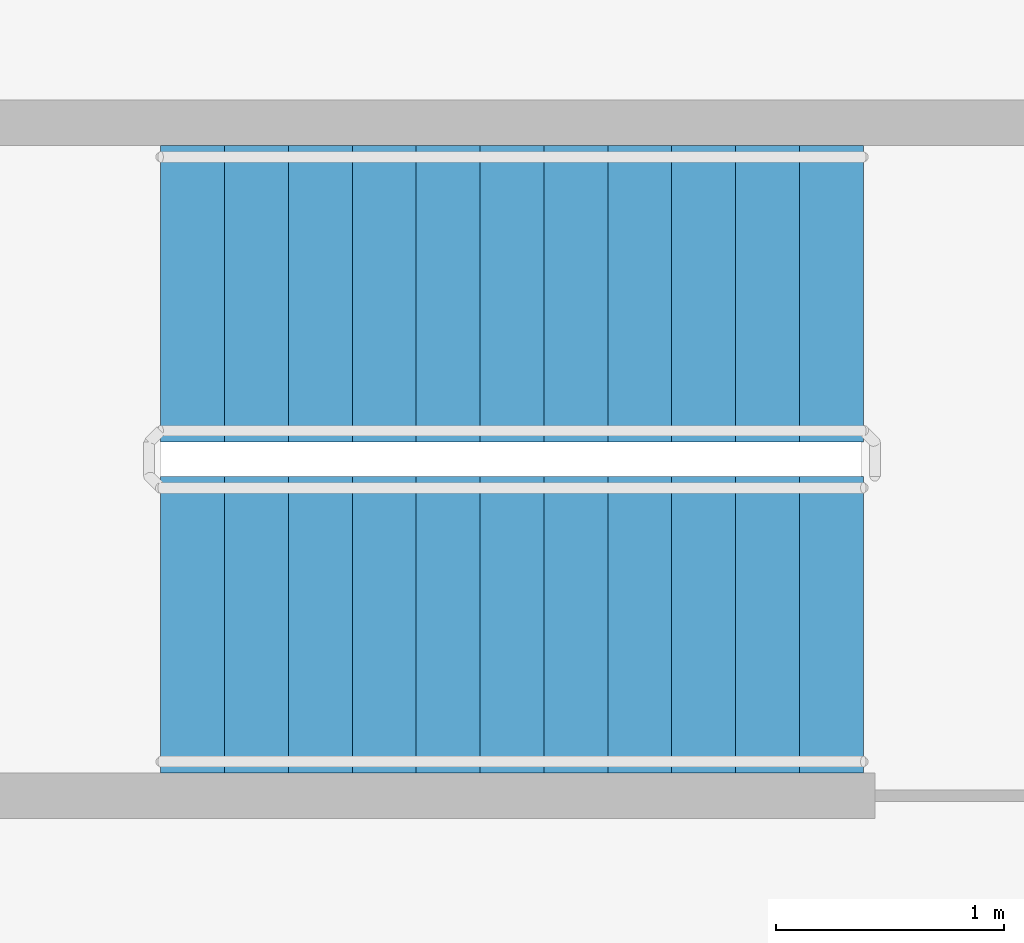
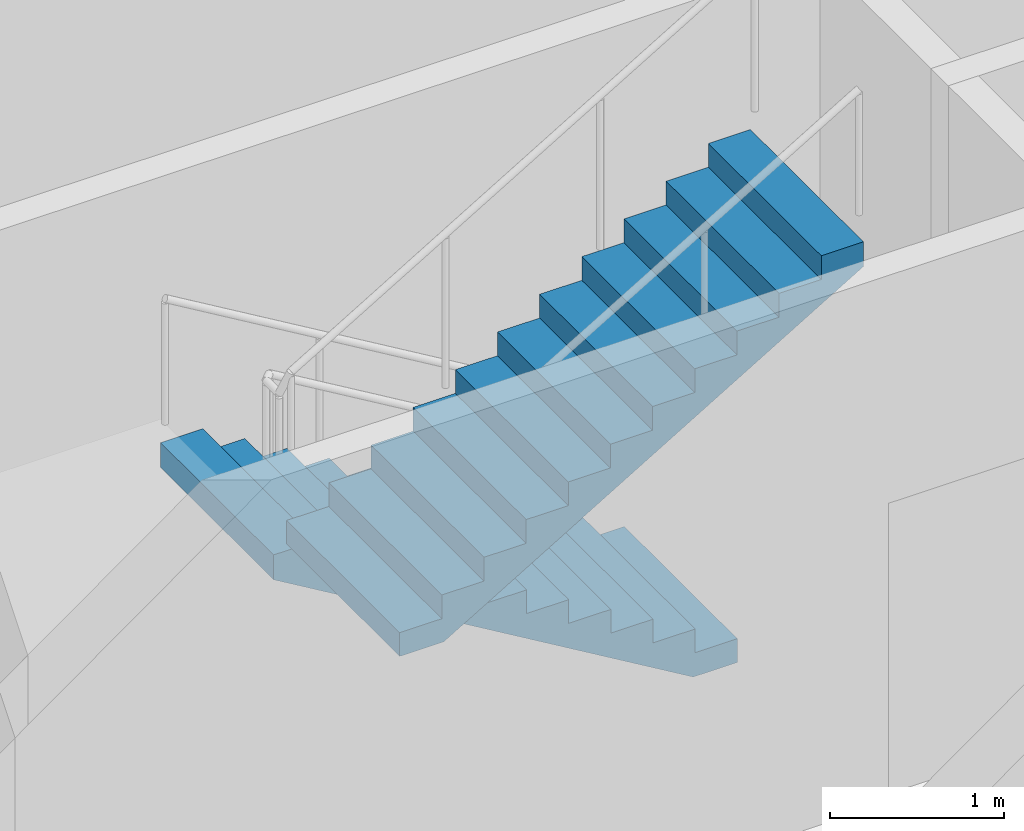
# One storey, part 8 of 10: 2 stair flights, 1 element without a shape of its own.
"""IFC4 building model written with IfcOpenShell, lengths in metres."""

from ifc_helpers import new_model, si_unit, direction, frame, origin, place, context, subcontext, project, spatial, polyline, outline, extrude, material, type_object, element, aggregate, save


model = new_model("IFC4")

# Units and contexts
model_context = context("Model", 3, precision=1e-05, world=origin(), true_north=direction((0.0, 1.0)))
body_context = subcontext(model_context, "Body", "Model", "MODEL_VIEW")
ifc_project = project(units=[si_unit("LENGTHUNIT", "METRE"), si_unit("AREAUNIT", "SQUARE_METRE"), si_unit("VOLUMEUNIT", "CUBIC_METRE"), si_unit("PLANEANGLEUNIT", "RADIAN"), si_unit("MASSUNIT", "GRAM", prefix="KILO")], contexts=[model_context])

# Site, building, storey
site_placement = place(None, origin())
site = spatial("IfcSite", under=ifc_project, at=site_placement, CompositionType="ELEMENT")
building_placement = place(site_placement, origin())
building = spatial("IfcBuilding", under=site, at=building_placement, Name="Corvane Civic Tower", CompositionType="ELEMENT")
storey_placement = place(building_placement, frame((0.0, 0.0, 90.5)))
storey = spatial("IfcBuildingStorey", under=building, at=storey_placement, Name="L20", CompositionType="ELEMENT", Elevation=90.5)

# Stair, stair flights
ifc_material_1 = material(Name="Concrete C40/50", Category="concrete")
stair_type = type_object("IfcStairType", Name="ST-STAIR-HALFTURN", PredefinedType="HALF_TURN_STAIR", material=ifc_material_1)
stair_placement = place(storey_placement, origin())
stair = element("IfcStair", 1, at=stair_placement, inside=storey, type_object=stair_type, Name="L20 Exit stair ST1", PredefinedType="HALF_TURN_STAIR")
ifc_material_2 = material(Name="Concrete C40/50", Category="concrete")
stair_flight_type = type_object("IfcStairFlightType", Name="ST-FLIGHT-RC", PredefinedType="STRAIGHT", material=ifc_material_2)
stair_flight_1_placement = place(storey_placement, frame((8.89990234375, 9.550048828125, 0.0), z_axis=(0.0, 0.0, 1.0), x_axis=(-1.0, 0.0, 0.0)))
stair_flight_1 = element("IfcStairFlight", 2, at=stair_flight_1_placement, type_object=stair_flight_type, Name="ST1 flight 1", NumberOfRisers=12, NumberOfTreads=11, PredefinedType="STRAIGHT", RiserHeight=0.166666667, TreadLength=0.28, context=body_context, shape_type="SweptSolid", body=[
    extrude(outline(polyline([(0.0, 0.0), (0.0, 0.166748046875), (0.280029296875, 0.166748046875), (0.280029296875, 0.333251953125), (0.56005859375, 0.333251953125), (0.56005859375, 0.5), (0.840087890625, 0.5), (0.840087890625, 0.666748046875), (1.1201171875, 0.666748046875), (1.1201171875, 0.833251953125), (1.39990234375, 0.833251953125), (1.39990234375, 1.0), (1.679931640625, 1.0), (1.679931640625, 1.166748046875), (1.9599609375, 1.166748046875), (1.9599609375, 1.333251953125), (2.239990234375, 1.333251953125), (2.239990234375, 1.5), (2.52001953125, 1.5), (2.52001953125, 1.666748046875), (2.800048828125, 1.666748046875), (2.800048828125, 1.833251953125), (3.080078125, 1.833251953125), (3.080078125, 2.0), (3.080078125, 1.658935546875), (0.29296875, 0.0), (0.0, 0.0)])), frame((0.0, 0.64990234375, 0.0), z_axis=(0.0, -1.0, 0.0), x_axis=(1.0, 0.0, 0.0)), (0.0, 0.0, 1.0), 1.300048828125),
])
stair_flight_2_placement = place(storey_placement, frame((5.820068359375, 8.10009765625, 2.0), z_axis=(0.0, 0.0, 1.0), x_axis=(1.0, 0.0, 0.0)))
stair_flight_2 = element("IfcStairFlight", 3, at=stair_flight_2_placement, type_object=stair_flight_type, Name="ST1 flight 2", NumberOfRisers=12, NumberOfTreads=11, PredefinedType="STRAIGHT", RiserHeight=0.166666667, TreadLength=0.28, context=body_context, shape_type="SweptSolid", body=[
    extrude(outline(polyline([(0.0, 0.0), (0.0, 0.166748046875), (0.280029296875, 0.166748046875), (0.280029296875, 0.333251953125), (0.56005859375, 0.333251953125), (0.56005859375, 0.5), (0.840087890625, 0.5), (0.840087890625, 0.666748046875), (1.1201171875, 0.666748046875), (1.1201171875, 0.833251953125), (1.39990234375, 0.833251953125), (1.39990234375, 1.0), (1.679931640625, 1.0), (1.679931640625, 1.166748046875), (1.9599609375, 1.166748046875), (1.9599609375, 1.333251953125), (2.239990234375, 1.333251953125), (2.239990234375, 1.5), (2.52001953125, 1.5), (2.52001953125, 1.666748046875), (2.800048828125, 1.666748046875), (2.800048828125, 1.833251953125), (3.080078125, 1.833251953125), (3.080078125, 2.0), (3.080078125, 1.658935546875), (0.29296875, 0.0), (0.0, 0.0)])), frame((0.0, 0.64990234375, 0.0), z_axis=(0.0, -1.0, 0.0), x_axis=(1.0, 0.0, 0.0)), (0.0, 0.0, 1.0), 1.300048828125),
])
aggregate(stair, [stair_flight_1, stair_flight_2])

save(model, "model.ifc")
